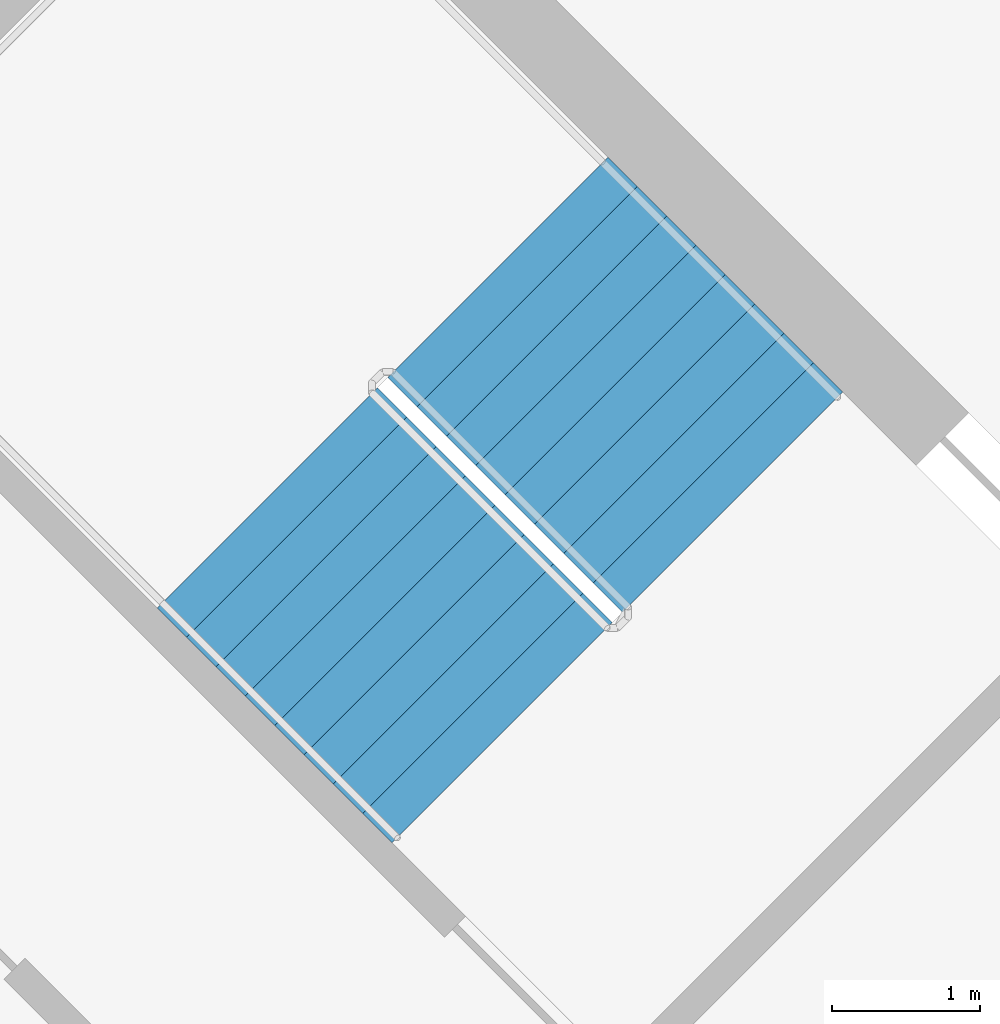
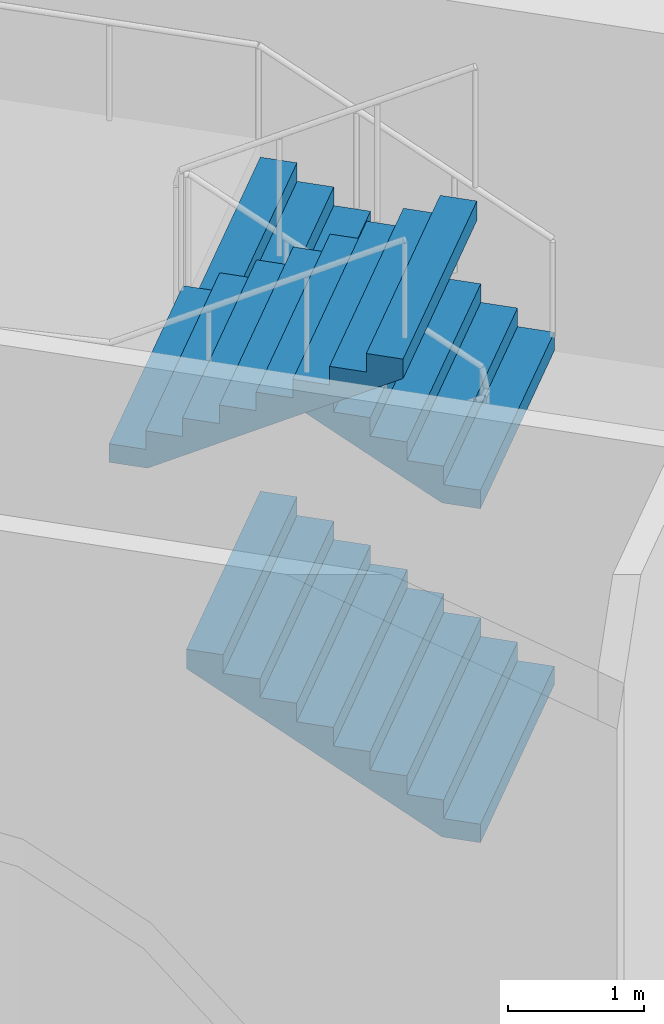
# One storey, part 13 of 16: 3 stair flights, 1 element without a shape of its own.
"""IFC4 building model written with IfcOpenShell, lengths in metres."""

import ifcopenshell
import ifcopenshell.guid

model = None  # the IFC model being written
_history = None  # IfcOwnerHistory: only IFC2X3 demands one
_inside = {}  # id of a spatial element -> (the spatial element, [elements in it])
_under = {}  # id of a project, library or spatial element -> (it, [spatial elements below it])
_declared = {}  # id of a project -> (the project, [libraries it declares])
_typed = {}  # id of a type object -> (the type object, [elements of that type])
_made_of = {}  # id of a material, layer set ... -> (it, [elements and type objects made of it])


def new_model(schema):
    """Start an empty IFC model of exactly this schema.

    Asked for "IFC4X3", IfcOpenShell would pick the latest addendum, in which some entities
    have other attributes; the version numbers below select the first issue.
    IFC2X3 requires an IfcOwnerHistory on every rooted entity: one is made here for all.
    """
    global model, _history
    if schema == "IFC4X3":
        model = ifcopenshell.file(schema_version=(4, 3, 0, 0))
    else:
        model = ifcopenshell.file(schema=schema)
    _inside.clear()
    _under.clear()
    _declared.clear()
    _typed.clear()
    _made_of.clear()
    _history = None
    if model.schema == "IFC2X3":
        org = make("IfcOrganization", Name="unknown")
        user = make(
            "IfcPersonAndOrganization",
            ThePerson=make("IfcPerson", FamilyName="unknown"),
            TheOrganization=org,
        )
        app = make(
            "IfcApplication",
            ApplicationDeveloper=org,
            Version="unknown",
            ApplicationFullName="unknown",
            ApplicationIdentifier="unknown",
        )
        _history = make(
            "IfcOwnerHistory",
            OwningUser=user,
            OwningApplication=app,
            ChangeAction="ADDED",
            CreationDate=0,
        )
    return model


def make(cls, **values):
    """One entity of the class cls with the attributes given. An attribute that is None is left unset."""
    return model.create_entity(
        cls, **{name: value for name, value in values.items() if value is not None}
    )


def rooted(cls, **values):
    """An entity with a GlobalId (a new one), such as an element, a storey or a relation."""
    return make(cls, GlobalId=ifcopenshell.guid.new(), OwnerHistory=_history, **values)


def si_unit(unit_type, name, prefix=None):
    """IfcSIUnit, for example si_unit("LENGTHUNIT", "METRE", prefix="MILLI")."""
    return make("IfcSIUnit", UnitType=unit_type, Prefix=prefix, Name=name)


def assignment(units):
    """IfcUnitAssignment: the units of a project."""
    return None if units is None else make("IfcUnitAssignment", Units=units)


def point(xyz):
    """IfcCartesianPoint."""
    return None if xyz is None else make("IfcCartesianPoint", Coordinates=xyz)


def direction(xyz):
    """IfcDirection."""
    return None if xyz is None else make("IfcDirection", DirectionRatios=xyz)


def frame(location, z_axis=None, x_axis=None):
    """IfcAxis2Placement3D, a coordinate frame: its origin and axes. An axis left out is left unset."""
    return make(
        "IfcAxis2Placement3D",
        Location=point(location),
        Axis=direction(z_axis),
        RefDirection=direction(x_axis),
    )


def origin():
    """The frame at (0, 0, 0) with its axes left unset."""
    return frame((0.0, 0.0, 0.0))


def place(relative_to, where):
    """IfcLocalPlacement: puts the frame where relative to a parent placement (None: the world)."""
    return make(
        "IfcLocalPlacement", PlacementRelTo=relative_to, RelativePlacement=where
    )


def context(
    kind, dimensions, precision=None, world=None, true_north=None, identifier=None
):
    """IfcGeometricRepresentationContext, for example the 3D "Model" context."""
    return make(
        "IfcGeometricRepresentationContext",
        ContextIdentifier=identifier,
        ContextType=kind,
        CoordinateSpaceDimension=dimensions,
        Precision=precision,
        WorldCoordinateSystem=world,
        TrueNorth=true_north,
    )


def subcontext(parent, identifier, kind, view, scale=None):
    """IfcGeometricRepresentationSubContext, for example "Body" below "Model"."""
    return make(
        "IfcGeometricRepresentationSubContext",
        ContextIdentifier=identifier,
        ContextType=kind,
        ParentContext=parent,
        TargetScale=scale,
        TargetView=view,
    )


def project(units=None, contexts=None):
    """IfcProject with its units and contexts."""
    return rooted(
        "IfcProject",
        Name="project",
        RepresentationContexts=contexts,
        UnitsInContext=assignment(units),
    )


def spatial(cls, under=None, at=None, **own):
    """A site, building, storey or space (cls), placed at a placement, below another one or the project."""
    s = rooted(cls, ObjectPlacement=at, **own)
    if under is not None:
        _under.setdefault(under.id(), (under, []))[1].append(s)
    return s


def point_list(points):
    """IfcCartesianPointList2D or 3D."""
    cls = (
        "IfcCartesianPointList2D" if len(points[0]) == 2 else "IfcCartesianPointList3D"
    )
    return make(cls, CoordList=points)


def triangles(points, corners, closed=None, point_numbers=None):
    """IfcTriangulatedFaceSet: each triangle names its three corners, points numbered from 1."""
    return make(
        "IfcTriangulatedFaceSet",
        Coordinates=point_list(points),
        Closed=closed,
        CoordIndex=corners,
        PnIndex=point_numbers,
    )


def shape(context_of_items, identifier, shape_type, items):
    """IfcShapeRepresentation: the items that make up one representation, for example the "Body"."""
    return make(
        "IfcShapeRepresentation",
        ContextOfItems=context_of_items,
        RepresentationIdentifier=identifier,
        RepresentationType=shape_type,
        Items=items,
    )


def material(Name=None, Category=None):
    """IfcMaterial."""
    return make("IfcMaterial", Name=Name, Category=Category)


def made_of(thing, what):
    """Note that an element or type object is made of a material, layer set ...; save() writes the relation."""
    if what is not None:
        _made_of.setdefault(what.id(), (what, []))[1].append(thing)
    return thing


def type_object(cls, material=None, **own):
    """A type object (cls), such as IfcWallType, which elements share."""
    return made_of(rooted(cls, **own), material)


def element(
    cls,
    number,
    at=None,
    inside=None,
    cuts=None,
    type_object=None,
    material=None,
    context=None,
    identifier="Body",
    shape_type=None,
    held_by="IfcProductDefinitionShape",
    body=None,
    shapes=None,
    **own,
):
    """One element of the class cls, such as IfcWall. Its Tag is "e" and its number.

    at: its placement. inside: the storey or other place that contains it. cuts: it is an
    opening in that element (IfcRelVoidsElement). A single representation is given by context,
    identifier, shape_type and body (its items); several are given by shapes. held_by: the class
    of the entity that holds the representations. save() writes the other relations.
    """
    e = rooted(cls, Tag="e%d" % number, ObjectPlacement=at, **own)
    if body is not None:
        shapes = [shape(context, identifier, shape_type, body)]
    if shapes is not None:
        e.Representation = make(held_by, Representations=shapes)
    if inside is not None:
        _inside.setdefault(inside.id(), (inside, []))[1].append(e)
    if cuts is not None:
        rooted(
            "IfcRelVoidsElement", RelatingBuildingElement=cuts, RelatedOpeningElement=e
        )
    if type_object is not None:
        _typed.setdefault(type_object.id(), (type_object, []))[1].append(e)
    return made_of(e, material)


def aggregate(whole, parts):
    """IfcRelAggregates: a whole, such as a stair, and the parts it consists of."""
    return rooted("IfcRelAggregates", RelatingObject=whole, RelatedObjects=parts)


def save(model, path):
    """Write the relations noted so far, then the file.

    IfcRelAggregates (storeys below a building ...), IfcRelContainedInSpatialStructure (elements
    in a storey), IfcRelDefinesByType, IfcRelAssociatesMaterial and IfcRelDeclares: one each for
    every whole, place, type object, material and project.
    """
    for whole, parts in _under.values():
        aggregate(whole, parts)
    for where, things in _inside.values():
        rooted(
            "IfcRelContainedInSpatialStructure",
            RelatedElements=things,
            RelatingStructure=where,
        )
    for kind, things in _typed.values():
        rooted("IfcRelDefinesByType", RelatedObjects=things, RelatingType=kind)
    for what, things in _made_of.values():
        rooted("IfcRelAssociatesMaterial", RelatedObjects=things, RelatingMaterial=what)
    for by, libraries in _declared.values():
        rooted("IfcRelDeclares", RelatingContext=by, RelatedDefinitions=libraries)
    model.write(path)


model = new_model("IFC4")

# Units and contexts
model_context = context("Model", 3, precision=1e-05, world=origin(), true_north=direction((0.0, 1.0)))
body_context = subcontext(model_context, "Body", "Model", "MODEL_VIEW")
ifc_project = project(units=[si_unit("LENGTHUNIT", "METRE"), si_unit("AREAUNIT", "SQUARE_METRE"), si_unit("VOLUMEUNIT", "CUBIC_METRE"), si_unit("PLANEANGLEUNIT", "RADIAN"), si_unit("MASSUNIT", "GRAM", prefix="KILO")], contexts=[model_context])

# Site, building, storey
site_placement = place(None, origin())
site = spatial("IfcSite", under=ifc_project, at=site_placement, CompositionType="ELEMENT")
building_placement = place(site_placement, origin())
building = spatial("IfcBuilding", under=site, at=building_placement, Name="Verdalira Terraces Hotel", CompositionType="ELEMENT")
storey_placement = place(building_placement, frame((0.0, 0.0, 263.0)))
storey = spatial("IfcBuildingStorey", under=building, at=storey_placement, Name="L65", CompositionType="ELEMENT", Elevation=263.0)

# Stair, stair flights
ifc_material_1 = material(Name="Concrete C40", Category="concrete")
stair_type = type_object("IfcStairType", Name="Core stair 36 risers 2100 mm wide", PredefinedType="HALF_TURN_STAIR", material=ifc_material_1)
stair_placement = place(storey_placement, origin())
stair = element("IfcStair", 1, at=stair_placement, inside=storey, type_object=stair_type, Name="L65 Exit stair ST1", PredefinedType="HALF_TURN_STAIR")
ifc_material_2 = material(Name="Concrete C40", Category="concrete")
stair_flight_type = type_object("IfcStairFlightType", Name="Core stair flight 36 risers 2100 mm wide", PredefinedType="STRAIGHT", material=ifc_material_2)
stair_flight_1_placement = place(storey_placement, frame((10.076172, 7.530762, 0.0), z_axis=(0.0, 0.0, 1.0), x_axis=(-0.707106781, 0.707106781, 0.0)))
stair_flight_1 = element("IfcStairFlight", 2, at=stair_flight_1_placement, type_object=stair_flight_type, Name="ST1 flight 1", NumberOfRisers=9, NumberOfTreads=8, PredefinedType="STRAIGHT", RiserHeight=0.166666667, TreadLength=0.28, context=body_context, shape_type="Tessellation", body=[
    triangles([(0.0, 1.050049, 0.0), (0.292969, 1.050049, 0.0), (2.23999, 1.050049, 1.158936), (0.0, -1.050049, 0.0), (0.292969, -1.050049, 0.0), (2.23999, -1.050049, 1.158936), (2.23999, 1.050049, 1.333252), (1.959961, 1.050049, 1.333252), (2.23999, -1.050049, 1.333252), (1.959961, -1.050049, 1.333252), (1.959961, 1.050049, 1.166748), (1.959961, -1.050049, 1.166748), (1.679932, 1.050049, 1.166748), (1.679932, -1.050049, 1.166748), (1.679932, 1.050049, 1.0), (1.679932, -1.050049, 1.0), (1.399902, 1.050049, 1.0), (1.399902, 1.050049, 0.833252), (1.399902, -1.050049, 1.0), (1.399902, -1.050049, 0.833252), (1.120117, 1.050049, 0.833252), (1.120117, 1.050049, 0.666748), (1.120117, -1.050049, 0.833252), (1.120117, -1.050049, 0.666748), (0.840088, 1.050049, 0.666748), (0.840088, 1.050049, 0.5), (0.840088, -1.050049, 0.666748), (0.840088, -1.050049, 0.5), (0.560059, 1.050049, 0.5), (0.560059, 1.050049, 0.333252), (0.560059, -1.050049, 0.5), (0.560059, -1.050049, 0.333252), (0.280029, 1.050049, 0.333252), (0.280029, 1.050049, 0.166748), (0.280029, -1.050049, 0.333252), (0.280029, -1.050049, 0.166748), (0.0, 1.050049, 0.166748), (0.0, -1.050049, 0.166748), (0.0, -0.984421, 0.0), (0.0, -0.984421, 0.166748), (0.0, -0.918793, 0.0), (0.0, -0.918793, 0.166748), (0.0, -0.853165, 0.0), (0.0, -0.853165, 0.166748), (0.0, -0.787537, 0.0), (0.0, -0.787537, 0.166748), (0.0, -0.721909, 0.0), (0.0, -0.721909, 0.166748), (0.0, -0.656281, 0.0), (0.0, -0.656281, 0.166748), (0.0, -0.590652, 0.0), (0.0, -0.590652, 0.166748), (0.0, -0.525024, 0.0), (0.0, -0.525024, 0.166748), (0.0, -0.459396, 0.0), (0.0, -0.459396, 0.166748), (0.0, -0.393768, 0.0), (0.0, -0.393768, 0.166748), (0.0, -0.32814, 0.0), (0.0, -0.32814, 0.166748), (0.0, -0.262512, 0.0), (0.0, -0.262512, 0.166748), (0.0, -0.196884, 0.0), (0.0, -0.196884, 0.166748), (0.0, -0.131256, 0.0), (0.0, -0.131256, 0.166748), (0.0, -0.065628, 0.0), (0.0, -0.065628, 0.166748), (0.0, 0.0, 0.0), (0.0, 0.0, 0.166748), (0.0, 0.065628, 0.0), (0.0, 0.065628, 0.166748), (0.0, 0.131256, 0.0), (0.0, 0.131256, 0.166748), (0.0, 0.196884, 0.0), (0.0, 0.196884, 0.166748), (0.0, 0.262512, 0.0), (0.0, 0.262512, 0.166748), (0.0, 0.32814, 0.0), (0.0, 0.32814, 0.166748), (0.0, 0.393768, 0.0), (0.0, 0.393768, 0.166748), (0.0, 0.459396, 0.0), (0.0, 0.459396, 0.166748), (0.0, 0.525024, 0.0), (0.0, 0.525024, 0.166748), (0.0, 0.590652, 0.0), (0.0, 0.590652, 0.166748), (0.0, 0.656281, 0.0), (0.0, 0.656281, 0.166748), (0.0, 0.721909, 0.0), (0.0, 0.721909, 0.166748), (0.0, 0.787537, 0.0), (0.0, 0.787537, 0.166748), (0.0, 0.853165, 0.0), (0.0, 0.853165, 0.166748), (0.0, 0.918793, 0.0), (0.0, 0.918793, 0.166748), (0.0, 0.984421, 0.0), (0.0, 0.984421, 0.166748), (2.23999, -0.984421, 1.333252), (2.23999, -0.918793, 1.333252), (2.23999, -0.853165, 1.333252), (2.23999, -0.787537, 1.333252), (2.23999, -0.721909, 1.333252), (2.23999, -0.656281, 1.333252), (2.23999, -0.590652, 1.333252), (2.23999, -0.525024, 1.333252), (2.23999, -0.459396, 1.333252), (2.23999, -0.393768, 1.333252), (2.23999, -0.32814, 1.333252), (2.23999, -0.262512, 1.333252), (2.23999, -0.196884, 1.333252), (2.23999, -0.131256, 1.333252), (2.23999, -0.065628, 1.333252), (2.23999, 0.0, 1.333252), (2.23999, 0.065628, 1.333252), (2.23999, 0.131256, 1.333252), (2.23999, 0.196884, 1.333252), (2.23999, 0.262512, 1.333252), (2.23999, 0.32814, 1.333252), (2.23999, 0.393768, 1.333252), (2.23999, 0.459396, 1.333252), (2.23999, 0.525024, 1.333252), (2.23999, 0.590652, 1.333252), (2.23999, 0.656281, 1.333252), (2.23999, 0.721909, 1.333252), (2.23999, 0.787537, 1.333252), (2.23999, 0.853165, 1.333252), (2.23999, 0.918793, 1.333252), (2.23999, 0.984421, 1.333252), (2.23999, -0.984421, 1.158936), (2.23999, -0.918793, 1.158936), (2.23999, -0.853165, 1.158936), (2.23999, -0.787537, 1.158936), (2.23999, -0.721909, 1.158936), (2.23999, -0.656281, 1.158936), (2.23999, -0.590652, 1.158936), (2.23999, -0.525024, 1.158936), (2.23999, -0.459396, 1.158936), (2.23999, -0.393768, 1.158936), (2.23999, -0.32814, 1.158936), (2.23999, -0.262512, 1.158936), (2.23999, -0.196884, 1.158936), (2.23999, -0.131256, 1.158936), (2.23999, -0.065628, 1.158936), (2.23999, 0.0, 1.158936), (2.23999, 0.065628, 1.158936), (2.23999, 0.131256, 1.158936), (2.23999, 0.196884, 1.158936), (2.23999, 0.262512, 1.158936), (2.23999, 0.32814, 1.158936), (2.23999, 0.393768, 1.158936), (2.23999, 0.459396, 1.158936), (2.23999, 0.525024, 1.158936), (2.23999, 0.590652, 1.158936), (2.23999, 0.656281, 1.158936), (2.23999, 0.721909, 1.158936), (2.23999, 0.787537, 1.158936), (2.23999, 0.853165, 1.158936), (2.23999, 0.918793, 1.158936), (2.23999, 0.984421, 1.158936)], [[1, 3, 2], [4, 5, 6], [3, 8, 7], [6, 9, 10], [3, 11, 8], [6, 10, 12], [3, 13, 11], [6, 12, 14], [3, 15, 13], [6, 14, 16], [15, 18, 17], [16, 19, 20], [3, 18, 15], [6, 16, 20], [18, 22, 21], [20, 23, 24], [3, 22, 18], [6, 20, 24], [22, 26, 25], [24, 27, 28], [3, 26, 22], [6, 24, 28], [26, 30, 29], [28, 31, 32], [3, 30, 26], [6, 28, 32], [1, 30, 3], [4, 6, 32], [30, 34, 33], [32, 35, 36], [1, 34, 30], [4, 32, 36], [34, 1, 37], [36, 38, 4], [4, 40, 39], [4, 38, 40], [39, 42, 41], [39, 40, 42], [41, 44, 43], [41, 42, 44], [43, 46, 45], [43, 44, 46], [45, 48, 47], [45, 46, 48], [47, 50, 49], [47, 48, 50], [49, 52, 51], [49, 50, 52], [51, 54, 53], [51, 52, 54], [53, 56, 55], [53, 54, 56], [55, 58, 57], [55, 56, 58], [57, 60, 59], [57, 58, 60], [59, 62, 61], [59, 60, 62], [61, 64, 63], [61, 62, 64], [63, 66, 65], [63, 64, 66], [65, 68, 67], [65, 66, 68], [67, 70, 69], [67, 68, 70], [69, 72, 71], [69, 70, 72], [71, 74, 73], [71, 72, 74], [73, 76, 75], [73, 74, 76], [75, 78, 77], [75, 76, 78], [77, 80, 79], [77, 78, 80], [79, 82, 81], [79, 80, 82], [81, 84, 83], [81, 82, 84], [83, 86, 85], [83, 84, 86], [85, 88, 87], [85, 86, 88], [87, 90, 89], [87, 88, 90], [89, 92, 91], [89, 90, 92], [91, 94, 93], [91, 92, 94], [93, 96, 95], [93, 94, 96], [95, 98, 97], [95, 96, 98], [97, 100, 99], [97, 98, 100], [99, 37, 1], [99, 100, 37], [38, 36, 40], [40, 36, 42], [42, 36, 44], [44, 36, 46], [46, 36, 48], [48, 36, 50], [50, 36, 52], [52, 36, 54], [54, 36, 56], [56, 36, 58], [58, 36, 60], [60, 36, 62], [62, 36, 64], [64, 36, 66], [66, 36, 68], [68, 36, 70], [70, 36, 72], [72, 36, 74], [74, 36, 76], [76, 36, 78], [78, 36, 80], [80, 36, 82], [82, 36, 84], [84, 36, 86], [86, 36, 88], [88, 36, 90], [90, 36, 92], [92, 36, 94], [94, 36, 96], [96, 36, 98], [98, 36, 100], [100, 36, 37], [37, 36, 34], [36, 33, 34], [36, 35, 33], [35, 30, 33], [35, 32, 30], [32, 29, 30], [32, 31, 29], [31, 26, 29], [31, 28, 26], [28, 25, 26], [28, 27, 25], [27, 22, 25], [27, 24, 22], [24, 21, 22], [24, 23, 21], [23, 18, 21], [23, 20, 18], [20, 17, 18], [20, 19, 17], [19, 15, 17], [19, 16, 15], [16, 13, 15], [16, 14, 13], [14, 11, 13], [14, 12, 11], [12, 8, 11], [12, 10, 8], [9, 101, 10], [101, 102, 10], [102, 103, 10], [103, 104, 10], [104, 105, 10], [105, 106, 10], [106, 107, 10], [107, 108, 10], [108, 109, 10], [109, 110, 10], [110, 111, 10], [111, 112, 10], [112, 113, 10], [113, 114, 10], [114, 115, 10], [115, 116, 10], [116, 117, 10], [117, 118, 10], [118, 119, 10], [119, 120, 10], [120, 121, 10], [121, 122, 10], [122, 123, 10], [123, 124, 10], [124, 125, 10], [125, 126, 10], [126, 127, 10], [127, 128, 10], [128, 129, 10], [129, 130, 10], [130, 131, 10], [131, 7, 10], [7, 8, 10], [9, 132, 101], [9, 6, 132], [101, 133, 102], [101, 132, 133], [102, 134, 103], [102, 133, 134], [103, 135, 104], [103, 134, 135], [104, 136, 105], [104, 135, 136], [105, 137, 106], [105, 136, 137], [106, 138, 107], [106, 137, 138], [107, 139, 108], [107, 138, 139], [108, 140, 109], [108, 139, 140], [109, 141, 110], [109, 140, 141], [110, 142, 111], [110, 141, 142], [111, 143, 112], [111, 142, 143], [112, 144, 113], [112, 143, 144], [113, 145, 114], [113, 144, 145], [114, 146, 115], [114, 145, 146], [115, 147, 116], [115, 146, 147], [116, 148, 117], [116, 147, 148], [117, 149, 118], [117, 148, 149], [118, 150, 119], [118, 149, 150], [119, 151, 120], [119, 150, 151], [120, 152, 121], [120, 151, 152], [121, 153, 122], [121, 152, 153], [122, 154, 123], [122, 153, 154], [123, 155, 124], [123, 154, 155], [124, 156, 125], [124, 155, 156], [125, 157, 126], [125, 156, 157], [126, 158, 127], [126, 157, 158], [127, 159, 128], [127, 158, 159], [128, 160, 129], [128, 159, 160], [129, 161, 130], [129, 160, 161], [130, 162, 131], [130, 161, 162], [131, 3, 7], [131, 162, 3], [6, 5, 132], [132, 5, 133], [133, 5, 134], [134, 5, 135], [135, 5, 136], [136, 5, 137], [137, 5, 138], [138, 5, 139], [139, 5, 140], [140, 5, 141], [141, 5, 142], [142, 5, 143], [143, 5, 144], [144, 5, 145], [145, 5, 146], [146, 5, 147], [147, 5, 148], [148, 5, 149], [149, 5, 150], [150, 5, 151], [151, 5, 152], [152, 5, 153], [153, 5, 154], [154, 5, 155], [155, 5, 156], [156, 5, 157], [157, 5, 158], [158, 5, 159], [159, 5, 160], [160, 5, 161], [161, 5, 162], [162, 5, 3], [3, 5, 2], [4, 39, 5], [39, 41, 5], [41, 43, 5], [43, 45, 5], [45, 47, 5], [47, 49, 5], [49, 51, 5], [51, 53, 5], [53, 55, 5], [55, 57, 5], [57, 59, 5], [59, 61, 5], [61, 63, 5], [63, 65, 5], [65, 67, 5], [67, 69, 5], [69, 71, 5], [71, 73, 5], [73, 75, 5], [75, 77, 5], [77, 79, 5], [79, 81, 5], [81, 83, 5], [83, 85, 5], [85, 87, 5], [87, 89, 5], [89, 91, 5], [91, 93, 5], [93, 95, 5], [95, 97, 5], [97, 99, 5], [99, 1, 5], [1, 2, 5]], closed=True),
])
stair_flight_2_placement = place(storey_placement, frame((10.076172, 7.530762, 3.0), z_axis=(0.0, 0.0, 1.0), x_axis=(-0.707106781, 0.707106781, 0.0)))
stair_flight_2 = element("IfcStairFlight", 3, at=stair_flight_2_placement, type_object=stair_flight_type, Name="ST1 flight 3", NumberOfRisers=9, NumberOfTreads=8, PredefinedType="STRAIGHT", RiserHeight=0.166666667, TreadLength=0.28, context=body_context, shape_type="Tessellation", body=[
    triangles([(0.0, 1.050049, 0.0), (0.292969, 1.050049, 0.0), (2.23999, 1.050049, 1.158936), (0.0, -1.050049, 0.0), (0.292969, -1.050049, 0.0), (2.23999, -1.050049, 1.158936), (2.23999, 1.050049, 1.333252), (1.959961, 1.050049, 1.333252), (2.23999, -1.050049, 1.333252), (1.959961, -1.050049, 1.333252), (1.959961, 1.050049, 1.166748), (1.959961, -1.050049, 1.166748), (1.679932, 1.050049, 1.166748), (1.679932, -1.050049, 1.166748), (1.679932, 1.050049, 1.0), (1.679932, -1.050049, 1.0), (1.399902, 1.050049, 1.0), (1.399902, 1.050049, 0.833252), (1.399902, -1.050049, 1.0), (1.399902, -1.050049, 0.833252), (1.120117, 1.050049, 0.833252), (1.120117, 1.050049, 0.666748), (1.120117, -1.050049, 0.833252), (1.120117, -1.050049, 0.666748), (0.840088, 1.050049, 0.666748), (0.840088, 1.050049, 0.5), (0.840088, -1.050049, 0.666748), (0.840088, -1.050049, 0.5), (0.560059, 1.050049, 0.5), (0.560059, 1.050049, 0.333252), (0.560059, -1.050049, 0.5), (0.560059, -1.050049, 0.333252), (0.280029, 1.050049, 0.333252), (0.280029, 1.050049, 0.166748), (0.280029, -1.050049, 0.333252), (0.280029, -1.050049, 0.166748), (0.0, 1.050049, 0.166748), (0.0, -1.050049, 0.166748), (0.0, -0.984421, 0.0), (0.0, -0.984421, 0.166748), (0.0, -0.918793, 0.0), (0.0, -0.918793, 0.166748), (0.0, -0.853165, 0.0), (0.0, -0.853165, 0.166748), (0.0, -0.787537, 0.0), (0.0, -0.787537, 0.166748), (0.0, -0.721909, 0.0), (0.0, -0.721909, 0.166748), (0.0, -0.656281, 0.0), (0.0, -0.656281, 0.166748), (0.0, -0.590652, 0.0), (0.0, -0.590652, 0.166748), (0.0, -0.525024, 0.0), (0.0, -0.525024, 0.166748), (0.0, -0.459396, 0.0), (0.0, -0.459396, 0.166748), (0.0, -0.393768, 0.0), (0.0, -0.393768, 0.166748), (0.0, -0.32814, 0.0), (0.0, -0.32814, 0.166748), (0.0, -0.262512, 0.0), (0.0, -0.262512, 0.166748), (0.0, -0.196884, 0.0), (0.0, -0.196884, 0.166748), (0.0, -0.131256, 0.0), (0.0, -0.131256, 0.166748), (0.0, -0.065628, 0.0), (0.0, -0.065628, 0.166748), (0.0, 0.0, 0.0), (0.0, 0.0, 0.166748), (0.0, 0.065628, 0.0), (0.0, 0.065628, 0.166748), (0.0, 0.131256, 0.0), (0.0, 0.131256, 0.166748), (0.0, 0.196884, 0.0), (0.0, 0.196884, 0.166748), (0.0, 0.262512, 0.0), (0.0, 0.262512, 0.166748), (0.0, 0.32814, 0.0), (0.0, 0.32814, 0.166748), (0.0, 0.393768, 0.0), (0.0, 0.393768, 0.166748), (0.0, 0.459396, 0.0), (0.0, 0.459396, 0.166748), (0.0, 0.525024, 0.0), (0.0, 0.525024, 0.166748), (0.0, 0.590652, 0.0), (0.0, 0.590652, 0.166748), (0.0, 0.656281, 0.0), (0.0, 0.656281, 0.166748), (0.0, 0.721909, 0.0), (0.0, 0.721909, 0.166748), (0.0, 0.787537, 0.0), (0.0, 0.787537, 0.166748), (0.0, 0.853165, 0.0), (0.0, 0.853165, 0.166748), (0.0, 0.918793, 0.0), (0.0, 0.918793, 0.166748), (0.0, 0.984421, 0.0), (0.0, 0.984421, 0.166748), (2.23999, -0.984421, 1.333252), (2.23999, -0.918793, 1.333252), (2.23999, -0.853165, 1.333252), (2.23999, -0.787537, 1.333252), (2.23999, -0.721909, 1.333252), (2.23999, -0.656281, 1.333252), (2.23999, -0.590652, 1.333252), (2.23999, -0.525024, 1.333252), (2.23999, -0.459396, 1.333252), (2.23999, -0.393768, 1.333252), (2.23999, -0.32814, 1.333252), (2.23999, -0.262512, 1.333252), (2.23999, -0.196884, 1.333252), (2.23999, -0.131256, 1.333252), (2.23999, -0.065628, 1.333252), (2.23999, 0.0, 1.333252), (2.23999, 0.065628, 1.333252), (2.23999, 0.131256, 1.333252), (2.23999, 0.196884, 1.333252), (2.23999, 0.262512, 1.333252), (2.23999, 0.32814, 1.333252), (2.23999, 0.393768, 1.333252), (2.23999, 0.459396, 1.333252), (2.23999, 0.525024, 1.333252), (2.23999, 0.590652, 1.333252), (2.23999, 0.656281, 1.333252), (2.23999, 0.721909, 1.333252), (2.23999, 0.787537, 1.333252), (2.23999, 0.853165, 1.333252), (2.23999, 0.918793, 1.333252), (2.23999, 0.984421, 1.333252), (2.23999, -0.984421, 1.158936), (2.23999, -0.918793, 1.158936), (2.23999, -0.853165, 1.158936), (2.23999, -0.787537, 1.158936), (2.23999, -0.721909, 1.158936), (2.23999, -0.656281, 1.158936), (2.23999, -0.590652, 1.158936), (2.23999, -0.525024, 1.158936), (2.23999, -0.459396, 1.158936), (2.23999, -0.393768, 1.158936), (2.23999, -0.32814, 1.158936), (2.23999, -0.262512, 1.158936), (2.23999, -0.196884, 1.158936), (2.23999, -0.131256, 1.158936), (2.23999, -0.065628, 1.158936), (2.23999, 0.0, 1.158936), (2.23999, 0.065628, 1.158936), (2.23999, 0.131256, 1.158936), (2.23999, 0.196884, 1.158936), (2.23999, 0.262512, 1.158936), (2.23999, 0.32814, 1.158936), (2.23999, 0.393768, 1.158936), (2.23999, 0.459396, 1.158936), (2.23999, 0.525024, 1.158936), (2.23999, 0.590652, 1.158936), (2.23999, 0.656281, 1.158936), (2.23999, 0.721909, 1.158936), (2.23999, 0.787537, 1.158936), (2.23999, 0.853165, 1.158936), (2.23999, 0.918793, 1.158936), (2.23999, 0.984421, 1.158936)], [[1, 3, 2], [4, 5, 6], [3, 8, 7], [6, 9, 10], [3, 11, 8], [6, 10, 12], [3, 13, 11], [6, 12, 14], [3, 15, 13], [6, 14, 16], [15, 18, 17], [16, 19, 20], [3, 18, 15], [6, 16, 20], [18, 22, 21], [20, 23, 24], [3, 22, 18], [6, 20, 24], [22, 26, 25], [24, 27, 28], [3, 26, 22], [6, 24, 28], [26, 30, 29], [28, 31, 32], [3, 30, 26], [6, 28, 32], [1, 30, 3], [4, 6, 32], [30, 34, 33], [32, 35, 36], [1, 34, 30], [4, 32, 36], [34, 1, 37], [36, 38, 4], [4, 40, 39], [4, 38, 40], [39, 42, 41], [39, 40, 42], [41, 44, 43], [41, 42, 44], [43, 46, 45], [43, 44, 46], [45, 48, 47], [45, 46, 48], [47, 50, 49], [47, 48, 50], [49, 52, 51], [49, 50, 52], [51, 54, 53], [51, 52, 54], [53, 56, 55], [53, 54, 56], [55, 58, 57], [55, 56, 58], [57, 60, 59], [57, 58, 60], [59, 62, 61], [59, 60, 62], [61, 64, 63], [61, 62, 64], [63, 66, 65], [63, 64, 66], [65, 68, 67], [65, 66, 68], [67, 70, 69], [67, 68, 70], [69, 72, 71], [69, 70, 72], [71, 74, 73], [71, 72, 74], [73, 76, 75], [73, 74, 76], [75, 78, 77], [75, 76, 78], [77, 80, 79], [77, 78, 80], [79, 82, 81], [79, 80, 82], [81, 84, 83], [81, 82, 84], [83, 86, 85], [83, 84, 86], [85, 88, 87], [85, 86, 88], [87, 90, 89], [87, 88, 90], [89, 92, 91], [89, 90, 92], [91, 94, 93], [91, 92, 94], [93, 96, 95], [93, 94, 96], [95, 98, 97], [95, 96, 98], [97, 100, 99], [97, 98, 100], [99, 37, 1], [99, 100, 37], [38, 36, 40], [40, 36, 42], [42, 36, 44], [44, 36, 46], [46, 36, 48], [48, 36, 50], [50, 36, 52], [52, 36, 54], [54, 36, 56], [56, 36, 58], [58, 36, 60], [60, 36, 62], [62, 36, 64], [64, 36, 66], [66, 36, 68], [68, 36, 70], [70, 36, 72], [72, 36, 74], [74, 36, 76], [76, 36, 78], [78, 36, 80], [80, 36, 82], [82, 36, 84], [84, 36, 86], [86, 36, 88], [88, 36, 90], [90, 36, 92], [92, 36, 94], [94, 36, 96], [96, 36, 98], [98, 36, 100], [100, 36, 37], [37, 36, 34], [36, 33, 34], [36, 35, 33], [35, 30, 33], [35, 32, 30], [32, 29, 30], [32, 31, 29], [31, 26, 29], [31, 28, 26], [28, 25, 26], [28, 27, 25], [27, 22, 25], [27, 24, 22], [24, 21, 22], [24, 23, 21], [23, 18, 21], [23, 20, 18], [20, 17, 18], [20, 19, 17], [19, 15, 17], [19, 16, 15], [16, 13, 15], [16, 14, 13], [14, 11, 13], [14, 12, 11], [12, 8, 11], [12, 10, 8], [9, 101, 10], [101, 102, 10], [102, 103, 10], [103, 104, 10], [104, 105, 10], [105, 106, 10], [106, 107, 10], [107, 108, 10], [108, 109, 10], [109, 110, 10], [110, 111, 10], [111, 112, 10], [112, 113, 10], [113, 114, 10], [114, 115, 10], [115, 116, 10], [116, 117, 10], [117, 118, 10], [118, 119, 10], [119, 120, 10], [120, 121, 10], [121, 122, 10], [122, 123, 10], [123, 124, 10], [124, 125, 10], [125, 126, 10], [126, 127, 10], [127, 128, 10], [128, 129, 10], [129, 130, 10], [130, 131, 10], [131, 7, 10], [7, 8, 10], [9, 132, 101], [9, 6, 132], [101, 133, 102], [101, 132, 133], [102, 134, 103], [102, 133, 134], [103, 135, 104], [103, 134, 135], [104, 136, 105], [104, 135, 136], [105, 137, 106], [105, 136, 137], [106, 138, 107], [106, 137, 138], [107, 139, 108], [107, 138, 139], [108, 140, 109], [108, 139, 140], [109, 141, 110], [109, 140, 141], [110, 142, 111], [110, 141, 142], [111, 143, 112], [111, 142, 143], [112, 144, 113], [112, 143, 144], [113, 145, 114], [113, 144, 145], [114, 146, 115], [114, 145, 146], [115, 147, 116], [115, 146, 147], [116, 148, 117], [116, 147, 148], [117, 149, 118], [117, 148, 149], [118, 150, 119], [118, 149, 150], [119, 151, 120], [119, 150, 151], [120, 152, 121], [120, 151, 152], [121, 153, 122], [121, 152, 153], [122, 154, 123], [122, 153, 154], [123, 155, 124], [123, 154, 155], [124, 156, 125], [124, 155, 156], [125, 157, 126], [125, 156, 157], [126, 158, 127], [126, 157, 158], [127, 159, 128], [127, 158, 159], [128, 160, 129], [128, 159, 160], [129, 161, 130], [129, 160, 161], [130, 162, 131], [130, 161, 162], [131, 3, 7], [131, 162, 3], [6, 5, 132], [132, 5, 133], [133, 5, 134], [134, 5, 135], [135, 5, 136], [136, 5, 137], [137, 5, 138], [138, 5, 139], [139, 5, 140], [140, 5, 141], [141, 5, 142], [142, 5, 143], [143, 5, 144], [144, 5, 145], [145, 5, 146], [146, 5, 147], [147, 5, 148], [148, 5, 149], [149, 5, 150], [150, 5, 151], [151, 5, 152], [152, 5, 153], [153, 5, 154], [154, 5, 155], [155, 5, 156], [156, 5, 157], [157, 5, 158], [158, 5, 159], [159, 5, 160], [160, 5, 161], [161, 5, 162], [162, 5, 3], [3, 5, 2], [4, 39, 5], [39, 41, 5], [41, 43, 5], [43, 45, 5], [45, 47, 5], [47, 49, 5], [49, 51, 5], [51, 53, 5], [53, 55, 5], [55, 57, 5], [57, 59, 5], [59, 61, 5], [61, 63, 5], [63, 65, 5], [65, 67, 5], [67, 69, 5], [69, 71, 5], [71, 73, 5], [73, 75, 5], [75, 77, 5], [77, 79, 5], [79, 81, 5], [81, 83, 5], [83, 85, 5], [85, 87, 5], [87, 89, 5], [89, 91, 5], [91, 93, 5], [93, 95, 5], [95, 97, 5], [97, 99, 5], [99, 1, 5], [1, 2, 5]], closed=True),
])
stair_flight_3_placement = place(storey_placement, frame((6.936768, 7.559082, 4.5), z_axis=(0.0, 0.0, 1.0), x_axis=(0.707106781, -0.707106781, 0.0)))
stair_flight_3 = element("IfcStairFlight", 4, at=stair_flight_3_placement, type_object=stair_flight_type, Name="ST1 flight 4", NumberOfRisers=9, NumberOfTreads=8, PredefinedType="STRAIGHT", RiserHeight=0.166666667, TreadLength=0.28, context=body_context, shape_type="Tessellation", body=[
    triangles([(0.0, 1.050049, 0.0), (0.292969, 1.050049, 0.0), (2.23999, 1.050049, 1.158936), (0.0, -1.050049, 0.0), (0.292969, -1.050049, 0.0), (2.23999, -1.050049, 1.158936), (2.23999, 1.050049, 1.333252), (1.959961, 1.050049, 1.333252), (2.23999, -1.050049, 1.333252), (1.959961, -1.050049, 1.333252), (1.959961, 1.050049, 1.166748), (1.959961, -1.050049, 1.166748), (1.679932, 1.050049, 1.166748), (1.679932, -1.050049, 1.166748), (1.679932, 1.050049, 1.0), (1.679932, -1.050049, 1.0), (1.399902, 1.050049, 1.0), (1.399902, 1.050049, 0.833252), (1.399902, -1.050049, 1.0), (1.399902, -1.050049, 0.833252), (1.120117, 1.050049, 0.833252), (1.120117, 1.050049, 0.666748), (1.120117, -1.050049, 0.833252), (1.120117, -1.050049, 0.666748), (0.840088, 1.050049, 0.666748), (0.840088, 1.050049, 0.5), (0.840088, -1.050049, 0.666748), (0.840088, -1.050049, 0.5), (0.560059, 1.050049, 0.5), (0.560059, 1.050049, 0.333252), (0.560059, -1.050049, 0.5), (0.560059, -1.050049, 0.333252), (0.280029, 1.050049, 0.333252), (0.280029, 1.050049, 0.166748), (0.280029, -1.050049, 0.333252), (0.280029, -1.050049, 0.166748), (0.0, 1.050049, 0.166748), (0.0, -1.050049, 0.166748), (0.0, -0.984421, 0.0), (0.0, -0.984421, 0.166748), (0.0, -0.918793, 0.0), (0.0, -0.918793, 0.166748), (0.0, -0.853165, 0.0), (0.0, -0.853165, 0.166748), (0.0, -0.787537, 0.0), (0.0, -0.787537, 0.166748), (0.0, -0.721909, 0.0), (0.0, -0.721909, 0.166748), (0.0, -0.656281, 0.0), (0.0, -0.656281, 0.166748), (0.0, -0.590652, 0.0), (0.0, -0.590652, 0.166748), (0.0, -0.525024, 0.0), (0.0, -0.525024, 0.166748), (0.0, -0.459396, 0.0), (0.0, -0.459396, 0.166748), (0.0, -0.393768, 0.0), (0.0, -0.393768, 0.166748), (0.0, -0.32814, 0.0), (0.0, -0.32814, 0.166748), (0.0, -0.262512, 0.0), (0.0, -0.262512, 0.166748), (0.0, -0.196884, 0.0), (0.0, -0.196884, 0.166748), (0.0, -0.131256, 0.0), (0.0, -0.131256, 0.166748), (0.0, -0.065628, 0.0), (0.0, -0.065628, 0.166748), (0.0, 0.0, 0.0), (0.0, 0.0, 0.166748), (0.0, 0.065628, 0.0), (0.0, 0.065628, 0.166748), (0.0, 0.131256, 0.0), (0.0, 0.131256, 0.166748), (0.0, 0.196884, 0.0), (0.0, 0.196884, 0.166748), (0.0, 0.262512, 0.0), (0.0, 0.262512, 0.166748), (0.0, 0.32814, 0.0), (0.0, 0.32814, 0.166748), (0.0, 0.393768, 0.0), (0.0, 0.393768, 0.166748), (0.0, 0.459396, 0.0), (0.0, 0.459396, 0.166748), (0.0, 0.525024, 0.0), (0.0, 0.525024, 0.166748), (0.0, 0.590652, 0.0), (0.0, 0.590652, 0.166748), (0.0, 0.656281, 0.0), (0.0, 0.656281, 0.166748), (0.0, 0.721909, 0.0), (0.0, 0.721909, 0.166748), (0.0, 0.787537, 0.0), (0.0, 0.787537, 0.166748), (0.0, 0.853165, 0.0), (0.0, 0.853165, 0.166748), (0.0, 0.918793, 0.0), (0.0, 0.918793, 0.166748), (0.0, 0.984421, 0.0), (0.0, 0.984421, 0.166748), (2.23999, -0.984421, 1.333252), (2.23999, -0.918793, 1.333252), (2.23999, -0.853165, 1.333252), (2.23999, -0.787537, 1.333252), (2.23999, -0.721909, 1.333252), (2.23999, -0.656281, 1.333252), (2.23999, -0.590652, 1.333252), (2.23999, -0.525024, 1.333252), (2.23999, -0.459396, 1.333252), (2.23999, -0.393768, 1.333252), (2.23999, -0.32814, 1.333252), (2.23999, -0.262512, 1.333252), (2.23999, -0.196884, 1.333252), (2.23999, -0.131256, 1.333252), (2.23999, -0.065628, 1.333252), (2.23999, 0.0, 1.333252), (2.23999, 0.065628, 1.333252), (2.23999, 0.131256, 1.333252), (2.23999, 0.196884, 1.333252), (2.23999, 0.262512, 1.333252), (2.23999, 0.32814, 1.333252), (2.23999, 0.393768, 1.333252), (2.23999, 0.459396, 1.333252), (2.23999, 0.525024, 1.333252), (2.23999, 0.590652, 1.333252), (2.23999, 0.656281, 1.333252), (2.23999, 0.721909, 1.333252), (2.23999, 0.787537, 1.333252), (2.23999, 0.853165, 1.333252), (2.23999, 0.918793, 1.333252), (2.23999, 0.984421, 1.333252), (2.23999, -0.984421, 1.158936), (2.23999, -0.918793, 1.158936), (2.23999, -0.853165, 1.158936), (2.23999, -0.787537, 1.158936), (2.23999, -0.721909, 1.158936), (2.23999, -0.656281, 1.158936), (2.23999, -0.590652, 1.158936), (2.23999, -0.525024, 1.158936), (2.23999, -0.459396, 1.158936), (2.23999, -0.393768, 1.158936), (2.23999, -0.32814, 1.158936), (2.23999, -0.262512, 1.158936), (2.23999, -0.196884, 1.158936), (2.23999, -0.131256, 1.158936), (2.23999, -0.065628, 1.158936), (2.23999, 0.0, 1.158936), (2.23999, 0.065628, 1.158936), (2.23999, 0.131256, 1.158936), (2.23999, 0.196884, 1.158936), (2.23999, 0.262512, 1.158936), (2.23999, 0.32814, 1.158936), (2.23999, 0.393768, 1.158936), (2.23999, 0.459396, 1.158936), (2.23999, 0.525024, 1.158936), (2.23999, 0.590652, 1.158936), (2.23999, 0.656281, 1.158936), (2.23999, 0.721909, 1.158936), (2.23999, 0.787537, 1.158936), (2.23999, 0.853165, 1.158936), (2.23999, 0.918793, 1.158936), (2.23999, 0.984421, 1.158936)], [[1, 3, 2], [4, 5, 6], [3, 8, 7], [6, 9, 10], [3, 11, 8], [6, 10, 12], [3, 13, 11], [6, 12, 14], [3, 15, 13], [6, 14, 16], [15, 18, 17], [16, 19, 20], [3, 18, 15], [6, 16, 20], [18, 22, 21], [20, 23, 24], [3, 22, 18], [6, 20, 24], [22, 26, 25], [24, 27, 28], [3, 26, 22], [6, 24, 28], [26, 30, 29], [28, 31, 32], [3, 30, 26], [6, 28, 32], [1, 30, 3], [4, 6, 32], [30, 34, 33], [32, 35, 36], [1, 34, 30], [4, 32, 36], [34, 1, 37], [36, 38, 4], [4, 40, 39], [4, 38, 40], [39, 42, 41], [39, 40, 42], [41, 44, 43], [41, 42, 44], [43, 46, 45], [43, 44, 46], [45, 48, 47], [45, 46, 48], [47, 50, 49], [47, 48, 50], [49, 52, 51], [49, 50, 52], [51, 54, 53], [51, 52, 54], [53, 56, 55], [53, 54, 56], [55, 58, 57], [55, 56, 58], [57, 60, 59], [57, 58, 60], [59, 62, 61], [59, 60, 62], [61, 64, 63], [61, 62, 64], [63, 66, 65], [63, 64, 66], [65, 68, 67], [65, 66, 68], [67, 70, 69], [67, 68, 70], [69, 72, 71], [69, 70, 72], [71, 74, 73], [71, 72, 74], [73, 76, 75], [73, 74, 76], [75, 78, 77], [75, 76, 78], [77, 80, 79], [77, 78, 80], [79, 82, 81], [79, 80, 82], [81, 84, 83], [81, 82, 84], [83, 86, 85], [83, 84, 86], [85, 88, 87], [85, 86, 88], [87, 90, 89], [87, 88, 90], [89, 92, 91], [89, 90, 92], [91, 94, 93], [91, 92, 94], [93, 96, 95], [93, 94, 96], [95, 98, 97], [95, 96, 98], [97, 100, 99], [97, 98, 100], [99, 37, 1], [99, 100, 37], [38, 36, 40], [40, 36, 42], [42, 36, 44], [44, 36, 46], [46, 36, 48], [48, 36, 50], [50, 36, 52], [52, 36, 54], [54, 36, 56], [56, 36, 58], [58, 36, 60], [60, 36, 62], [62, 36, 64], [64, 36, 66], [66, 36, 68], [68, 36, 70], [70, 36, 72], [72, 36, 74], [74, 36, 76], [76, 36, 78], [78, 36, 80], [80, 36, 82], [82, 36, 84], [84, 36, 86], [86, 36, 88], [88, 36, 90], [90, 36, 92], [92, 36, 94], [94, 36, 96], [96, 36, 98], [98, 36, 100], [100, 36, 37], [37, 36, 34], [36, 33, 34], [36, 35, 33], [35, 30, 33], [35, 32, 30], [32, 29, 30], [32, 31, 29], [31, 26, 29], [31, 28, 26], [28, 25, 26], [28, 27, 25], [27, 22, 25], [27, 24, 22], [24, 21, 22], [24, 23, 21], [23, 18, 21], [23, 20, 18], [20, 17, 18], [20, 19, 17], [19, 15, 17], [19, 16, 15], [16, 13, 15], [16, 14, 13], [14, 11, 13], [14, 12, 11], [12, 8, 11], [12, 10, 8], [9, 101, 10], [101, 102, 10], [102, 103, 10], [103, 104, 10], [104, 105, 10], [105, 106, 10], [106, 107, 10], [107, 108, 10], [108, 109, 10], [109, 110, 10], [110, 111, 10], [111, 112, 10], [112, 113, 10], [113, 114, 10], [114, 115, 10], [115, 116, 10], [116, 117, 10], [117, 118, 10], [118, 119, 10], [119, 120, 10], [120, 121, 10], [121, 122, 10], [122, 123, 10], [123, 124, 10], [124, 125, 10], [125, 126, 10], [126, 127, 10], [127, 128, 10], [128, 129, 10], [129, 130, 10], [130, 131, 10], [131, 7, 10], [7, 8, 10], [9, 132, 101], [9, 6, 132], [101, 133, 102], [101, 132, 133], [102, 134, 103], [102, 133, 134], [103, 135, 104], [103, 134, 135], [104, 136, 105], [104, 135, 136], [105, 137, 106], [105, 136, 137], [106, 138, 107], [106, 137, 138], [107, 139, 108], [107, 138, 139], [108, 140, 109], [108, 139, 140], [109, 141, 110], [109, 140, 141], [110, 142, 111], [110, 141, 142], [111, 143, 112], [111, 142, 143], [112, 144, 113], [112, 143, 144], [113, 145, 114], [113, 144, 145], [114, 146, 115], [114, 145, 146], [115, 147, 116], [115, 146, 147], [116, 148, 117], [116, 147, 148], [117, 149, 118], [117, 148, 149], [118, 150, 119], [118, 149, 150], [119, 151, 120], [119, 150, 151], [120, 152, 121], [120, 151, 152], [121, 153, 122], [121, 152, 153], [122, 154, 123], [122, 153, 154], [123, 155, 124], [123, 154, 155], [124, 156, 125], [124, 155, 156], [125, 157, 126], [125, 156, 157], [126, 158, 127], [126, 157, 158], [127, 159, 128], [127, 158, 159], [128, 160, 129], [128, 159, 160], [129, 161, 130], [129, 160, 161], [130, 162, 131], [130, 161, 162], [131, 3, 7], [131, 162, 3], [6, 5, 132], [132, 5, 133], [133, 5, 134], [134, 5, 135], [135, 5, 136], [136, 5, 137], [137, 5, 138], [138, 5, 139], [139, 5, 140], [140, 5, 141], [141, 5, 142], [142, 5, 143], [143, 5, 144], [144, 5, 145], [145, 5, 146], [146, 5, 147], [147, 5, 148], [148, 5, 149], [149, 5, 150], [150, 5, 151], [151, 5, 152], [152, 5, 153], [153, 5, 154], [154, 5, 155], [155, 5, 156], [156, 5, 157], [157, 5, 158], [158, 5, 159], [159, 5, 160], [160, 5, 161], [161, 5, 162], [162, 5, 3], [3, 5, 2], [4, 39, 5], [39, 41, 5], [41, 43, 5], [43, 45, 5], [45, 47, 5], [47, 49, 5], [49, 51, 5], [51, 53, 5], [53, 55, 5], [55, 57, 5], [57, 59, 5], [59, 61, 5], [61, 63, 5], [63, 65, 5], [65, 67, 5], [67, 69, 5], [69, 71, 5], [71, 73, 5], [73, 75, 5], [75, 77, 5], [77, 79, 5], [79, 81, 5], [81, 83, 5], [83, 85, 5], [85, 87, 5], [87, 89, 5], [89, 91, 5], [91, 93, 5], [93, 95, 5], [95, 97, 5], [97, 99, 5], [99, 1, 5], [1, 2, 5]], closed=True),
])
aggregate(stair, [stair_flight_1, stair_flight_2, stair_flight_3])

save(model, "model.ifc")
